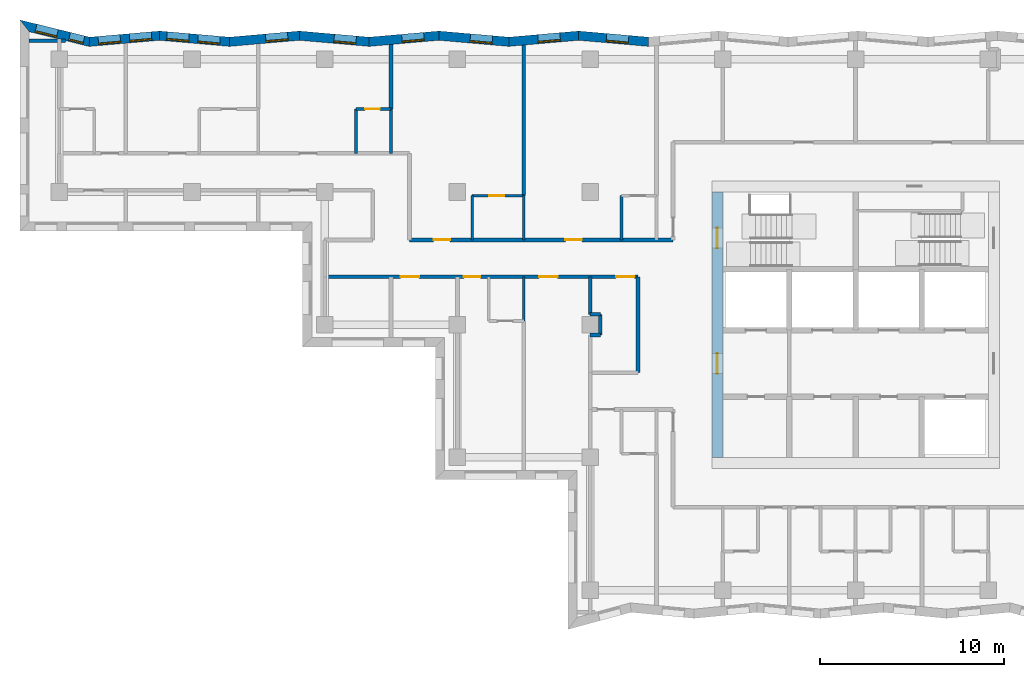
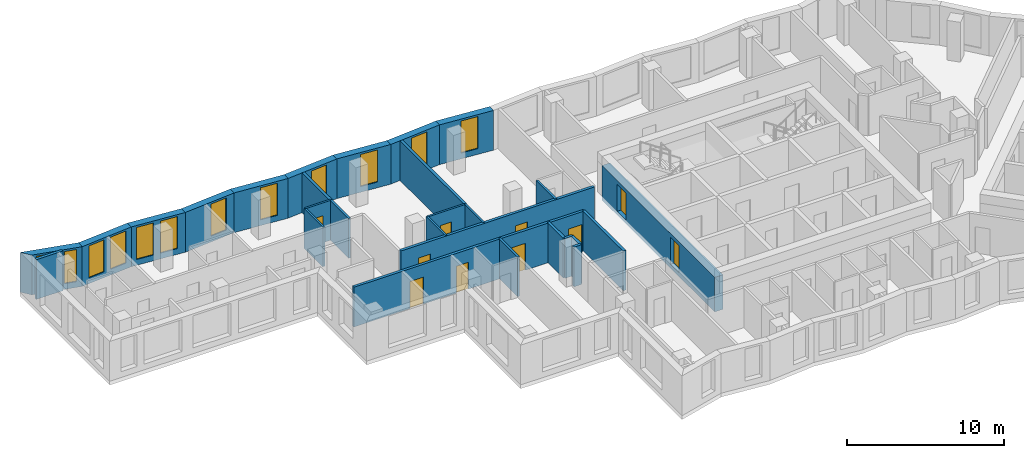
# One storey, part 5 of 12: 28 walls, 12 windows, 10 doors, 22 openings.
"""IFC4 building model written with IfcOpenShell, lengths in metres."""

from ifc_helpers import new_model, si_unit, direction, frame, frame_2d, origin, place, context, subcontext, project, spatial, polyline, rectangle, outline, extrude, material, layer, layer_set, type_object, element, fill, save


model = new_model("IFC4")

# Units and contexts
model_context = context("Model", 3, precision=1e-05, world=origin(), true_north=direction((0.0, 1.0)))
body_context = subcontext(model_context, "Body", "Model", "MODEL_VIEW")
ifc_project = project(units=[si_unit("LENGTHUNIT", "METRE"), si_unit("AREAUNIT", "SQUARE_METRE"), si_unit("VOLUMEUNIT", "CUBIC_METRE"), si_unit("PLANEANGLEUNIT", "RADIAN"), si_unit("MASSUNIT", "GRAM", prefix="KILO")], contexts=[model_context])

# Site, building, storey
site_placement = place(None, origin())
site = spatial("IfcSite", under=ifc_project, at=site_placement, CompositionType="ELEMENT")
building_placement = place(site_placement, origin())
building = spatial("IfcBuilding", under=site, at=building_placement, Name="Windrow Commons", CompositionType="ELEMENT")
storey_placement = place(building_placement, frame((0.0, 0.0, 138.8)))
storey = spatial("IfcBuildingStorey", under=building, at=storey_placement, Name="L37", CompositionType="ELEMENT", Elevation=138.8)

# Wall, opening, window
ifc_material_1 = material(Name="Brick masonry, red clay brick", Category="masonry")
ifc_layer_1 = layer(ifc_material_1, 0.5)
ifc_layer_set_1 = layer_set([ifc_layer_1], Name="Brick facade wall 500")
wall_type_1 = type_object("IfcWallType", Name="Brick facade wall 500", PredefinedType="SOLIDWALL", material=ifc_layer_set_1)
wall_1_placement = place(storey_placement, frame((53.5644, 72.9491, 0.0), z_axis=(0.0, 0.0, 1.0), x_axis=(-0.9962271558, 0.0867839505, 0.0)))
wall_1 = element("IfcWall", 1, at=wall_1_placement, inside=storey, type_object=wall_type_1, Name="Brick facade wall L37 26", PredefinedType="SOLIDWALL", context=body_context, shape_type="SweptSolid", body=[
    extrude(outline(polyline([(0.0218, -0.25), (3.8244, -0.25), (3.7808, 0.25), (-0.0218, 0.25), (0.0218, -0.25)])), origin(), (0.0, 0.0, 1.0), 3.1),
])
opening_1_placement = place(wall_1_placement, frame((1.0882, 0.0, 0.45)))
opening_1 = element("IfcOpeningElement", 2, at=opening_1_placement, cuts=wall_1, Name="Opening W7E", PredefinedType="OPENING", context=body_context, shape_type="SweptSolid", body=[
    extrude(rectangle(XDim=1.2, YDim=2.5, at=frame_2d((0.6, 1.25))), frame((0.0, 0.26, 0.0), z_axis=(0.0, -1.0, 0.0), x_axis=(1.0, 0.0, 0.0)), (0.0, 0.0, 1.0), 0.52),
])
ifc_material_2 = material(Name="Clear float glass in anodised aluminium frame", Category="aluminium")
window_type_1 = type_object("IfcWindowType", Name="Window W7 notch 1200x2500", PartitioningType="SINGLE_PANEL", PredefinedType="WINDOW", material=ifc_material_2)
window_1_placement = place(opening_1_placement, origin())
window_1 = element("IfcWindow", 3, at=window_1_placement, inside=storey, type_object=window_type_1, Name="Window L37 26.1", OverallHeight=2.5, OverallWidth=1.2, PartitioningType="SINGLE_PANEL", PredefinedType="WINDOW", context=body_context, shape_type="SweptSolid", body=[
    extrude(rectangle(XDim=1.2, YDim=2.5, at=frame_2d((0.6, 1.25))), frame((0.0, 0.18, 0.0), z_axis=(0.0, -1.0, 0.0), x_axis=(1.0, 0.0, 0.0)), (0.0, 0.0, 1.0), 0.06),
])
fill(opening_1, window_1)

wall_2_placement = place(storey_placement, frame((49.7762, 73.2791, 0.0), z_axis=(0.0, 0.0, 1.0), x_axis=(-0.9962273538, -0.0867816769, 0.0)))
wall_2 = element("IfcWall", 4, at=wall_2_placement, inside=storey, type_object=wall_type_1, Name="Brick facade wall L37 27", PredefinedType="SOLIDWALL", context=body_context, shape_type="SweptSolid", body=[
    extrude(outline(polyline([(-0.0218, -0.25), (3.7808, -0.25), (3.8244, 0.25), (0.0218, 0.25), (-0.0218, -0.25)])), origin(), (0.0, 0.0, 1.0), 3.1),
])
opening_2_placement = place(wall_2_placement, frame((1.0046, 0.0, 0.45)))
opening_2 = element("IfcOpeningElement", 5, at=opening_2_placement, cuts=wall_2, Name="Opening W7E", PredefinedType="OPENING", context=body_context, shape_type="SweptSolid", body=[
    extrude(rectangle(XDim=1.2, YDim=2.5, at=frame_2d((0.6, 1.25))), frame((0.0, 0.26, 0.0), z_axis=(0.0, -1.0, 0.0), x_axis=(1.0, 0.0, 0.0)), (0.0, 0.0, 1.0), 0.52),
])
window_2_placement = place(opening_2_placement, origin())
window_2 = element("IfcWindow", 6, at=window_2_placement, inside=storey, type_object=window_type_1, Name="Window L37 27.1", OverallHeight=2.5, OverallWidth=1.2, PartitioningType="SINGLE_PANEL", PredefinedType="WINDOW", context=body_context, shape_type="SweptSolid", body=[
    extrude(rectangle(XDim=1.2, YDim=2.5, at=frame_2d((0.6, 1.25))), frame((0.0, 0.18, 0.0), z_axis=(0.0, -1.0, 0.0), x_axis=(1.0, 0.0, 0.0)), (0.0, 0.0, 1.0), 0.06),
])
fill(opening_2, window_2)

wall_3_placement = place(storey_placement, frame((45.9879, 72.9491, 0.0), z_axis=(0.0, 0.0, 1.0), x_axis=(-0.9962273538, 0.0867816769, 0.0)))
wall_3 = element("IfcWall", 7, at=wall_3_placement, inside=storey, type_object=wall_type_1, Name="Brick facade wall L37 28", PredefinedType="SOLIDWALL", context=body_context, shape_type="SweptSolid", body=[
    extrude(outline(polyline([(0.0218, -0.25), (3.8244, -0.25), (3.7808, 0.25), (-0.0218, 0.25), (0.0218, -0.25)])), origin(), (0.0, 0.0, 1.0), 3.1),
])
opening_3_placement = place(wall_3_placement, frame((0.8992, 0.0, 0.45)))
opening_3 = element("IfcOpeningElement", 8, at=opening_3_placement, cuts=wall_3, Name="Opening W7E", PredefinedType="OPENING", context=body_context, shape_type="SweptSolid", body=[
    extrude(rectangle(XDim=1.2, YDim=2.5, at=frame_2d((0.6, 1.25))), frame((0.0, 0.26, 0.0), z_axis=(0.0, -1.0, 0.0), x_axis=(1.0, 0.0, 0.0)), (0.0, 0.0, 1.0), 0.52),
])
window_3_placement = place(opening_3_placement, origin())
window_3 = element("IfcWindow", 9, at=window_3_placement, inside=storey, type_object=window_type_1, Name="Window L37 28.1", OverallHeight=2.5, OverallWidth=1.2, PartitioningType="SINGLE_PANEL", PredefinedType="WINDOW", context=body_context, shape_type="SweptSolid", body=[
    extrude(rectangle(XDim=1.2, YDim=2.5, at=frame_2d((0.6, 1.25))), frame((0.0, 0.18, 0.0), z_axis=(0.0, -1.0, 0.0), x_axis=(1.0, 0.0, 0.0)), (0.0, 0.0, 1.0), 0.06),
])
fill(opening_3, window_3)

wall_4_placement = place(storey_placement, frame((42.1996, 73.2791, 0.0), z_axis=(0.0, 0.0, 1.0), x_axis=(-0.9962273538, -0.0867816769, 0.0)))
wall_4 = element("IfcWall", 10, at=wall_4_placement, inside=storey, type_object=wall_type_1, Name="Brick facade wall L37 29", PredefinedType="SOLIDWALL", context=body_context, shape_type="SweptSolid", body=[
    extrude(outline(polyline([(-0.0218, -0.25), (3.7808, -0.25), (3.8244, 0.25), (0.0218, 0.25), (-0.0218, -0.25)])), origin(), (0.0, 0.0, 1.0), 3.1),
])
opening_4_placement = place(wall_4_placement, frame((0.8156, 0.0, 0.45)))
opening_4 = element("IfcOpeningElement", 11, at=opening_4_placement, cuts=wall_4, Name="Opening W7E", PredefinedType="OPENING", context=body_context, shape_type="SweptSolid", body=[
    extrude(rectangle(XDim=1.2, YDim=2.5, at=frame_2d((0.6, 1.25))), frame((0.0, 0.26, 0.0), z_axis=(0.0, -1.0, 0.0), x_axis=(1.0, 0.0, 0.0)), (0.0, 0.0, 1.0), 0.52),
])
window_4_placement = place(opening_4_placement, origin())
window_4 = element("IfcWindow", 12, at=window_4_placement, inside=storey, type_object=window_type_1, Name="Window L37 29.1", OverallHeight=2.5, OverallWidth=1.2, PartitioningType="SINGLE_PANEL", PredefinedType="WINDOW", context=body_context, shape_type="SweptSolid", body=[
    extrude(rectangle(XDim=1.2, YDim=2.5, at=frame_2d((0.6, 1.25))), frame((0.0, 0.18, 0.0), z_axis=(0.0, -1.0, 0.0), x_axis=(1.0, 0.0, 0.0)), (0.0, 0.0, 1.0), 0.06),
])
fill(opening_4, window_4)

wall_5_placement = place(storey_placement, frame((38.4113, 72.9491, 0.0), z_axis=(0.0, 0.0, 1.0), x_axis=(-0.9962271558, 0.0867839505, 0.0)))
wall_5 = element("IfcWall", 13, at=wall_5_placement, inside=storey, type_object=wall_type_1, Name="Brick facade wall L37 30", PredefinedType="SOLIDWALL", context=body_context, shape_type="SweptSolid", body=[
    extrude(outline(polyline([(0.0218, -0.25), (3.8244, -0.25), (3.7808, 0.25), (-0.0218, 0.25), (0.0218, -0.25)])), origin(), (0.0, 0.0, 1.0), 3.1),
])
opening_5_placement = place(wall_5_placement, frame((0.7102, 0.0, 0.45)))
opening_5 = element("IfcOpeningElement", 14, at=opening_5_placement, cuts=wall_5, Name="Opening W7E", PredefinedType="OPENING", context=body_context, shape_type="SweptSolid", body=[
    extrude(rectangle(XDim=1.2, YDim=2.5, at=frame_2d((0.6, 1.25))), frame((0.0, 0.26, 0.0), z_axis=(0.0, -1.0, 0.0), x_axis=(1.0, 0.0, 0.0)), (0.0, 0.0, 1.0), 0.52),
])
window_5_placement = place(opening_5_placement, origin())
window_5 = element("IfcWindow", 15, at=window_5_placement, inside=storey, type_object=window_type_1, Name="Window L37 30.1", OverallHeight=2.5, OverallWidth=1.2, PartitioningType="SINGLE_PANEL", PredefinedType="WINDOW", context=body_context, shape_type="SweptSolid", body=[
    extrude(rectangle(XDim=1.2, YDim=2.5, at=frame_2d((0.6, 1.25))), frame((0.0, 0.18, 0.0), z_axis=(0.0, -1.0, 0.0), x_axis=(1.0, 0.0, 0.0)), (0.0, 0.0, 1.0), 0.06),
])
fill(opening_5, window_5)

wall_6_placement = place(storey_placement, frame((34.6231, 73.2791, 0.0), z_axis=(0.0, 0.0, 1.0), x_axis=(-0.9962273538, -0.0867816769, 0.0)))
wall_6 = element("IfcWall", 16, at=wall_6_placement, inside=storey, type_object=wall_type_1, Name="Brick facade wall L37 31", PredefinedType="SOLIDWALL", context=body_context, shape_type="SweptSolid", body=[
    extrude(outline(polyline([(-0.0218, -0.25), (3.7808, -0.25), (3.8244, 0.25), (0.0218, 0.25), (-0.0218, -0.25)])), origin(), (0.0, 0.0, 1.0), 3.1),
])
opening_6_placement = place(wall_6_placement, frame((0.6266, 0.0, 0.45)))
opening_6 = element("IfcOpeningElement", 17, at=opening_6_placement, cuts=wall_6, Name="Opening W7E", PredefinedType="OPENING", context=body_context, shape_type="SweptSolid", body=[
    extrude(rectangle(XDim=1.2, YDim=2.5, at=frame_2d((0.6, 1.25))), frame((0.0, 0.26, 0.0), z_axis=(0.0, -1.0, 0.0), x_axis=(1.0, 0.0, 0.0)), (0.0, 0.0, 1.0), 0.52),
])
window_6_placement = place(opening_6_placement, origin())
window_6 = element("IfcWindow", 18, at=window_6_placement, inside=storey, type_object=window_type_1, Name="Window L37 31.1", OverallHeight=2.5, OverallWidth=1.2, PartitioningType="SINGLE_PANEL", PredefinedType="WINDOW", context=body_context, shape_type="SweptSolid", body=[
    extrude(rectangle(XDim=1.2, YDim=2.5, at=frame_2d((0.6, 1.25))), frame((0.0, 0.18, 0.0), z_axis=(0.0, -1.0, 0.0), x_axis=(1.0, 0.0, 0.0)), (0.0, 0.0, 1.0), 0.06),
])
fill(opening_6, window_6)

# Wall, openings, windows
wall_7_placement = place(storey_placement, frame((30.8348, 72.9491, 0.0), z_axis=(0.0, 0.0, 1.0), x_axis=(-0.9962273538, 0.0867816769, 0.0)))
wall_7 = element("IfcWall", 19, at=wall_7_placement, inside=storey, type_object=wall_type_1, Name="Brick facade wall L37 32", PredefinedType="SOLIDWALL", context=body_context, shape_type="SweptSolid", body=[
    extrude(outline(polyline([(0.0218, -0.25), (3.8244, -0.25), (3.7808, 0.25), (-0.0218, 0.25), (0.0218, -0.25)])), origin(), (0.0, 0.0, 1.0), 3.1),
])
opening_7_placement = place(wall_7_placement, frame((0.5213, 0.0, 0.45)))
opening_7 = element("IfcOpeningElement", 20, at=opening_7_placement, cuts=wall_7, Name="Opening W7E", PredefinedType="OPENING", context=body_context, shape_type="SweptSolid", body=[
    extrude(rectangle(XDim=1.2, YDim=2.5, at=frame_2d((0.6, 1.25))), frame((0.0, 0.26, 0.0), z_axis=(0.0, -1.0, 0.0), x_axis=(1.0, 0.0, 0.0)), (0.0, 0.0, 1.0), 0.52),
])
opening_8_placement = place(wall_7_placement, frame((2.2117, 0.0, 0.45)))
opening_8 = element("IfcOpeningElement", 21, at=opening_8_placement, cuts=wall_7, Name="Opening W7E", PredefinedType="OPENING", context=body_context, shape_type="SweptSolid", body=[
    extrude(rectangle(XDim=1.2, YDim=2.5, at=frame_2d((0.6, 1.25))), frame((0.0, 0.26, 0.0), z_axis=(0.0, -1.0, 0.0), x_axis=(1.0, 0.0, 0.0)), (0.0, 0.0, 1.0), 0.52),
])
window_7_placement = place(opening_7_placement, origin())
window_7 = element("IfcWindow", 22, at=window_7_placement, inside=storey, type_object=window_type_1, Name="Window L37 32.1", OverallHeight=2.5, OverallWidth=1.2, PartitioningType="SINGLE_PANEL", PredefinedType="WINDOW", context=body_context, shape_type="SweptSolid", body=[
    extrude(rectangle(XDim=1.2, YDim=2.5, at=frame_2d((0.6, 1.25))), frame((0.0, 0.18, 0.0), z_axis=(0.0, -1.0, 0.0), x_axis=(1.0, 0.0, 0.0)), (0.0, 0.0, 1.0), 0.06),
])
fill(opening_7, window_7)
window_8_placement = place(opening_8_placement, origin())
window_8 = element("IfcWindow", 23, at=window_8_placement, inside=storey, type_object=window_type_1, Name="Window L37 32.2", OverallHeight=2.5, OverallWidth=1.2, PartitioningType="SINGLE_PANEL", PredefinedType="WINDOW", context=body_context, shape_type="SweptSolid", body=[
    extrude(rectangle(XDim=1.2, YDim=2.5, at=frame_2d((0.6, 1.25))), frame((0.0, 0.18, 0.0), z_axis=(0.0, -1.0, 0.0), x_axis=(1.0, 0.0, 0.0)), (0.0, 0.0, 1.0), 0.06),
])
fill(opening_8, window_8)

wall_8_placement = place(storey_placement, frame((27.0465, 73.2791, 0.0), z_axis=(0.0, 0.0, 1.0), x_axis=(-0.9962271263, -0.0867842891, 0.0)))
wall_8 = element("IfcWall", 24, at=wall_8_placement, inside=storey, type_object=wall_type_1, Name="Brick facade wall L37 33", PredefinedType="SOLIDWALL", context=body_context, shape_type="SweptSolid", body=[
    extrude(outline(polyline([(-0.0218, -0.25), (3.7808, -0.25), (3.8635, 0.25), (0.0218, 0.25), (-0.0218, -0.25)])), origin(), (0.0, 0.0, 1.0), 3.1),
])
opening_9_placement = place(wall_8_placement, frame((0.4377, 0.0, 0.45)))
opening_9 = element("IfcOpeningElement", 25, at=opening_9_placement, cuts=wall_8, Name="Opening W7E", PredefinedType="OPENING", context=body_context, shape_type="SweptSolid", body=[
    extrude(rectangle(XDim=1.2, YDim=2.5, at=frame_2d((0.6, 1.25))), frame((0.0, 0.26, 0.0), z_axis=(0.0, -1.0, 0.0), x_axis=(1.0, 0.0, 0.0)), (0.0, 0.0, 1.0), 0.52),
])
opening_10_placement = place(wall_8_placement, frame((2.1378, 0.0, 0.45)))
opening_10 = element("IfcOpeningElement", 26, at=opening_10_placement, cuts=wall_8, Name="Opening W7E", PredefinedType="OPENING", context=body_context, shape_type="SweptSolid", body=[
    extrude(rectangle(XDim=1.2, YDim=2.5, at=frame_2d((0.6, 1.25))), frame((0.0, 0.26, 0.0), z_axis=(0.0, -1.0, 0.0), x_axis=(1.0, 0.0, 0.0)), (0.0, 0.0, 1.0), 0.52),
])
window_9_placement = place(opening_9_placement, origin())
window_9 = element("IfcWindow", 27, at=window_9_placement, inside=storey, type_object=window_type_1, Name="Window L37 33.1", OverallHeight=2.5, OverallWidth=1.2, PartitioningType="SINGLE_PANEL", PredefinedType="WINDOW", context=body_context, shape_type="SweptSolid", body=[
    extrude(rectangle(XDim=1.2, YDim=2.5, at=frame_2d((0.6, 1.25))), frame((0.0, 0.18, 0.0), z_axis=(0.0, -1.0, 0.0), x_axis=(1.0, 0.0, 0.0)), (0.0, 0.0, 1.0), 0.06),
])
fill(opening_9, window_9)
window_10_placement = place(opening_10_placement, origin())
window_10 = element("IfcWindow", 28, at=window_10_placement, inside=storey, type_object=window_type_1, Name="Window L37 33.2", OverallHeight=2.5, OverallWidth=1.2, PartitioningType="SINGLE_PANEL", PredefinedType="WINDOW", context=body_context, shape_type="SweptSolid", body=[
    extrude(rectangle(XDim=1.2, YDim=2.5, at=frame_2d((0.6, 1.25))), frame((0.0, 0.18, 0.0), z_axis=(0.0, -1.0, 0.0), x_axis=(1.0, 0.0, 0.0)), (0.0, 0.0, 1.0), 0.06),
])
fill(opening_10, window_10)

wall_9_placement = place(storey_placement, frame((23.2388, 72.9474, 0.0), z_axis=(0.0, 0.0, 1.0), x_axis=(-0.9711662492, 0.2384032642, 0.0)))
wall_9 = element("IfcWall", 29, at=wall_9_placement, inside=storey, type_object=wall_type_1, Name="Brick facade wall L37 34", PredefinedType="SOLIDWALL", context=body_context, shape_type="SweptSolid", body=[
    extrude(outline(polyline([(0.0413, -0.25), (3.9421, -0.25), (3.3045, 0.25), (-0.0413, 0.25), (0.0413, -0.25)])), origin(), (0.0, 0.0, 1.0), 3.1),
])
opening_11_placement = place(wall_9_placement, frame((1.796, 0.0, 0.45)))
opening_11 = element("IfcOpeningElement", 30, at=opening_11_placement, cuts=wall_9, Name="Opening W7E", PredefinedType="OPENING", context=body_context, shape_type="SweptSolid", body=[
    extrude(rectangle(XDim=1.2, YDim=2.5, at=frame_2d((0.6, 1.25))), frame((0.0, 0.26, 0.0), z_axis=(0.0, -1.0, 0.0), x_axis=(1.0, 0.0, 0.0)), (0.0, 0.0, 1.0), 0.52),
])
opening_12_placement = place(wall_9_placement, frame((0.319, 0.0, 0.45)))
opening_12 = element("IfcOpeningElement", 31, at=opening_12_placement, cuts=wall_9, Name="Opening W1N", PredefinedType="OPENING", context=body_context, shape_type="SweptSolid", body=[
    extrude(rectangle(XDim=0.8, YDim=2.5, at=frame_2d((0.4, 1.25))), frame((0.0, 0.26, 0.0), z_axis=(0.0, -1.0, 0.0), x_axis=(1.0, 0.0, 0.0)), (0.0, 0.0, 1.0), 0.52),
])
ifc_material_3 = material(Name="Clear float glass in anodised aluminium frame", Category="aluminium")
window_type_2 = type_object("IfcWindowType", Name="Window W1N slit 800x2500", PartitioningType="SINGLE_PANEL", PredefinedType="WINDOW", material=ifc_material_3)
window_11_placement = place(opening_12_placement, origin())
window_11 = element("IfcWindow", 32, at=window_11_placement, inside=storey, type_object=window_type_2, Name="Window L37 34.1A", OverallHeight=2.5, OverallWidth=0.8, PartitioningType="SINGLE_PANEL", PredefinedType="WINDOW", context=body_context, shape_type="SweptSolid", body=[
    extrude(rectangle(XDim=0.8, YDim=2.5, at=frame_2d((0.4, 1.25))), frame((0.0, 0.18, 0.0), z_axis=(0.0, -1.0, 0.0), x_axis=(1.0, 0.0, 0.0)), (0.0, 0.0, 1.0), 0.06),
])
fill(opening_12, window_11)
window_12_placement = place(opening_11_placement, origin())
window_12 = element("IfcWindow", 33, at=window_12_placement, inside=storey, type_object=window_type_1, Name="Window L37 34.2", OverallHeight=2.5, OverallWidth=1.2, PartitioningType="SINGLE_PANEL", PredefinedType="WINDOW", context=body_context, shape_type="SweptSolid", body=[
    extrude(rectangle(XDim=1.2, YDim=2.5, at=frame_2d((0.6, 1.25))), frame((0.0, 0.18, 0.0), z_axis=(0.0, -1.0, 0.0), x_axis=(1.0, 0.0, 0.0)), (0.0, 0.0, 1.0), 0.06),
])
fill(opening_11, window_12)

# Wall, openings, doors
ifc_material_4 = material(Name="Blockwork partition", Category="masonry")
ifc_layer_2 = layer(ifc_material_4, 0.2)
ifc_layer_set_2 = layer_set([ifc_layer_2], Name="IW-CORRIDOR-200")
wall_type_2 = type_object("IfcWallType", Name="IW-CORRIDOR-200", PredefinedType="PARTITIONING", material=ifc_layer_set_2)
wall_10_placement = place(storey_placement, frame((36.0, 60.2, 0.0), z_axis=(0.0, 0.0, 1.0), x_axis=(1.0, 0.0, 0.0)))
wall_10 = element("IfcWall", 34, at=wall_10_placement, inside=storey, type_object=wall_type_2, Name="W-L37-W003", PredefinedType="PARTITIONING", context=body_context, shape_type="SweptSolid", body=[
    extrude(rectangle(XDim=17.0, YDim=0.2, at=frame_2d((8.5, 0.0))), origin(), (0.0, 0.0, 1.0), 3.1),
])
opening_13_placement = place(wall_10_placement, frame((15.805, 0.0, 0.0)))
opening_13 = element("IfcOpeningElement", 35, at=opening_13_placement, cuts=wall_10, Name="Opening D410F", PredefinedType="OPENING", context=body_context, shape_type="SweptSolid", body=[
    extrude(rectangle(XDim=1.0, YDim=2.1, at=frame_2d((0.5, 1.05))), frame((0.0, 0.11, 0.0), z_axis=(0.0, -1.0, 0.0), x_axis=(1.0, 0.0, 0.0)), (0.0, 0.0, 1.0), 0.22),
])
opening_14_placement = place(wall_10_placement, frame((4.125, 0.0, 0.0)))
opening_14 = element("IfcOpeningElement", 36, at=opening_14_placement, cuts=wall_10, Name="Opening D310F", PredefinedType="OPENING", context=body_context, shape_type="SweptSolid", body=[
    extrude(rectangle(XDim=1.0, YDim=2.1, at=frame_2d((0.5, 1.05))), frame((0.0, 0.11, 0.0), z_axis=(0.0, -1.0, 0.0), x_axis=(1.0, 0.0, 0.0)), (0.0, 0.0, 1.0), 0.22),
])
opening_15_placement = place(wall_10_placement, frame((7.55, 0.0, 0.0)))
opening_15 = element("IfcOpeningElement", 37, at=opening_15_placement, cuts=wall_10, Name="Opening D109S", PredefinedType="OPENING", context=body_context, shape_type="SweptSolid", body=[
    extrude(rectangle(XDim=0.9, YDim=2.1, at=frame_2d((0.45, 1.05))), frame((0.0, 0.11, 0.0), z_axis=(0.0, -1.0, 0.0), x_axis=(1.0, 0.0, 0.0)), (0.0, 0.0, 1.0), 0.22),
])
opening_16_placement = place(wall_10_placement, frame((11.635, 0.0, 0.0)))
opening_16 = element("IfcOpeningElement", 38, at=opening_16_placement, cuts=wall_10, Name="Opening D310F", PredefinedType="OPENING", context=body_context, shape_type="SweptSolid", body=[
    extrude(rectangle(XDim=1.0, YDim=2.1, at=frame_2d((0.5, 1.05))), frame((0.0, 0.11, 0.0), z_axis=(0.0, -1.0, 0.0), x_axis=(1.0, 0.0, 0.0)), (0.0, 0.0, 1.0), 0.22),
])
ifc_material_5 = material(Name="Timber door leaf", Category="wood")
door_type_1 = type_object("IfcDoorType", Name="DT-AMENITY-1000", OperationType="SINGLE_SWING_LEFT", PredefinedType="DOOR", material=ifc_material_5)
door_1_placement = place(opening_14_placement, origin())
door_1 = element("IfcDoor", 39, at=door_1_placement, inside=storey, type_object=door_type_1, Name="D-L37-D012", OperationType="SINGLE_SWING_RIGHT", OverallHeight=2.1, OverallWidth=1.0, PredefinedType="DOOR", context=body_context, shape_type="SweptSolid", body=[
    extrude(rectangle(XDim=1.0, YDim=2.1, at=frame_2d((0.5, 1.05))), frame((0.0, 0.025, 0.0), z_axis=(0.0, -1.0, 0.0), x_axis=(1.0, 0.0, 0.0)), (0.0, 0.0, 1.0), 0.05),
])
fill(opening_14, door_1)
door_2_placement = place(opening_16_placement, origin())
door_2 = element("IfcDoor", 40, at=door_2_placement, inside=storey, type_object=door_type_1, Name="D-L37-D023", OperationType="SINGLE_SWING_RIGHT", OverallHeight=2.1, OverallWidth=1.0, PredefinedType="DOOR", context=body_context, shape_type="SweptSolid", body=[
    extrude(rectangle(XDim=1.0, YDim=2.1, at=frame_2d((0.5, 1.05))), frame((0.0, 0.025, 0.0), z_axis=(0.0, -1.0, 0.0), x_axis=(1.0, 0.0, 0.0)), (0.0, 0.0, 1.0), 0.05),
])
fill(opening_16, door_2)
ifc_material_6 = material(Name="Timber door leaf", Category="wood")
door_type_2 = type_object("IfcDoorType", Name="DT-BEDROOM-900", OperationType="SINGLE_SWING_LEFT", PredefinedType="DOOR", material=ifc_material_6)
door_3_placement = place(opening_15_placement, origin())
door_3 = element("IfcDoor", 41, at=door_3_placement, inside=storey, type_object=door_type_2, Name="D-L37-D013", OperationType="SINGLE_SWING_LEFT", OverallHeight=2.1, OverallWidth=0.9, PredefinedType="DOOR", context=body_context, shape_type="SweptSolid", body=[
    extrude(rectangle(XDim=0.9, YDim=2.1, at=frame_2d((0.45, 1.05))), frame((0.0, 0.025, 0.0), z_axis=(0.0, -1.0, 0.0), x_axis=(1.0, 0.0, 0.0)), (0.0, 0.0, 1.0), 0.05),
])
fill(opening_15, door_3)
ifc_material_7 = material(Name="Timber door leaf", Category="wood")
door_type_3 = type_object("IfcDoorType", Name="DT-SERVICE-1000", OperationType="SINGLE_SWING_LEFT", PredefinedType="DOOR", material=ifc_material_7)
door_4_placement = place(opening_13_placement, origin())
door_4 = element("IfcDoor", 42, at=door_4_placement, inside=storey, type_object=door_type_3, Name="D-L37-D000", OperationType="SINGLE_SWING_LEFT", OverallHeight=2.1, OverallWidth=1.0, PredefinedType="DOOR", context=body_context, shape_type="SweptSolid", body=[
    extrude(rectangle(XDim=1.0, YDim=2.1, at=frame_2d((0.5, 1.05))), frame((0.0, 0.025, 0.0), z_axis=(0.0, -1.0, 0.0), x_axis=(1.0, 0.0, 0.0)), (0.0, 0.0, 1.0), 0.05),
])
fill(opening_13, door_4)

wall_11_placement = place(storey_placement, frame((40.602, 62.2, 0.0), z_axis=(0.0, 0.0, 1.0), x_axis=(1.0, 0.0, 0.0)))
wall_11 = element("IfcWall", 43, at=wall_11_placement, inside=storey, type_object=wall_type_2, Name="W-L37-W004", PredefinedType="PARTITIONING", context=body_context, shape_type="SweptSolid", body=[
    extrude(rectangle(XDim=14.298, YDim=0.2, at=frame_2d((7.149, 0.0))), origin(), (0.0, 0.0, 1.0), 3.1),
])
opening_17_placement = place(wall_11_placement, frame((1.3063, 0.0, 0.0)))
opening_17 = element("IfcOpeningElement", 44, at=opening_17_placement, cuts=wall_11, Name="Opening D109F", PredefinedType="OPENING", context=body_context, shape_type="SweptSolid", body=[
    extrude(rectangle(XDim=0.9, YDim=2.1, at=frame_2d((0.45, 1.05))), frame((0.0, 0.11, 0.0), z_axis=(0.0, -1.0, 0.0), x_axis=(1.0, 0.0, 0.0)), (0.0, 0.0, 1.0), 0.22),
])
opening_18_placement = place(wall_11_placement, frame((8.4546, 0.0, 0.0)))
opening_18 = element("IfcOpeningElement", 45, at=opening_18_placement, cuts=wall_11, Name="Opening D109F", PredefinedType="OPENING", context=body_context, shape_type="SweptSolid", body=[
    extrude(rectangle(XDim=0.9, YDim=2.1, at=frame_2d((0.45, 1.05))), frame((0.0, 0.11, 0.0), z_axis=(0.0, -1.0, 0.0), x_axis=(1.0, 0.0, 0.0)), (0.0, 0.0, 1.0), 0.22),
])
door_5_placement = place(opening_17_placement, origin())
door_5 = element("IfcDoor", 46, at=door_5_placement, inside=storey, type_object=door_type_2, Name="D-L37-D015", OperationType="SINGLE_SWING_LEFT", OverallHeight=2.1, OverallWidth=0.9, PredefinedType="DOOR", context=body_context, shape_type="SweptSolid", body=[
    extrude(rectangle(XDim=0.9, YDim=2.1, at=frame_2d((0.45, 1.05))), frame((0.0, 0.025, 0.0), z_axis=(0.0, -1.0, 0.0), x_axis=(1.0, 0.0, 0.0)), (0.0, 0.0, 1.0), 0.05),
])
fill(opening_17, door_5)
door_6_placement = place(opening_18_placement, origin())
door_6 = element("IfcDoor", 47, at=door_6_placement, inside=storey, type_object=door_type_2, Name="D-L37-D017", OperationType="SINGLE_SWING_LEFT", OverallHeight=2.1, OverallWidth=0.9, PredefinedType="DOOR", context=body_context, shape_type="SweptSolid", body=[
    extrude(rectangle(XDim=0.9, YDim=2.1, at=frame_2d((0.45, 1.05))), frame((0.0, 0.025, 0.0), z_axis=(0.0, -1.0, 0.0), x_axis=(1.0, 0.0, 0.0)), (0.0, 0.0, 1.0), 0.05),
])
fill(opening_18, door_6)

# Wall
wall_12_placement = place(storey_placement, frame((53.0, 55.002, 0.0), z_axis=(0.0, 0.0, 1.0), x_axis=(0.0, 1.0, 0.0)))
element("IfcWall", 48, at=wall_12_placement, inside=storey, type_object=wall_type_2, Name="W-L37-W033", PredefinedType="PARTITIONING", context=body_context, shape_type="SweptSolid", body=[
    extrude(rectangle(XDim=5.198, YDim=0.2, at=frame_2d((2.599, 0.0))), origin(), (0.0, 0.0, 1.0), 3.1),
])

# Wall, opening, door
ifc_material_8 = material(Name="Blockwork partition", Category="masonry")
ifc_layer_3 = layer(ifc_material_8, 0.15)
ifc_layer_set_3 = layer_set([ifc_layer_3], Name="IW-ENSUITE-150")
wall_type_3 = type_object("IfcWallType", Name="IW-ENSUITE-150", PredefinedType="PARTITIONING", material=ifc_layer_set_3)
wall_13_placement = place(storey_placement, frame((44.0, 64.6, 0.0), z_axis=(0.0, 0.0, 1.0), x_axis=(1.0, 0.0, 0.0)))
wall_13 = element("IfcWall", 49, at=wall_13_placement, inside=storey, type_object=wall_type_3, Name="W-L37-W054", PredefinedType="PARTITIONING", context=body_context, shape_type="SweptSolid", body=[
    extrude(rectangle(XDim=2.8, YDim=0.15, at=frame_2d((1.4, 0.0))), origin(), (0.0, 0.0, 1.0), 3.1),
])
opening_19_placement = place(wall_13_placement, frame((0.94, 0.0, 0.0)))
opening_19 = element("IfcOpeningElement", 50, at=opening_19_placement, cuts=wall_13, Name="Opening D208N", PredefinedType="OPENING", context=body_context, shape_type="SweptSolid", body=[
    extrude(rectangle(XDim=0.8, YDim=2.1, at=frame_2d((0.4, 1.05))), frame((0.0, 0.085, 0.0), z_axis=(0.0, -1.0, 0.0), x_axis=(1.0, 0.0, 0.0)), (0.0, 0.0, 1.0), 0.17),
])
ifc_material_9 = material(Name="Timber door leaf", Category="wood")
door_type_4 = type_object("IfcDoorType", Name="DT-ENSUITE-800", OperationType="SINGLE_SWING_LEFT", PredefinedType="DOOR", material=ifc_material_9)
door_7_placement = place(opening_19_placement, origin())
door_7 = element("IfcDoor", 51, at=door_7_placement, inside=storey, type_object=door_type_4, Name="D-L37-D016", OperationType="SINGLE_SWING_RIGHT", OverallHeight=2.1, OverallWidth=0.8, PredefinedType="DOOR", context=body_context, shape_type="SweptSolid", body=[
    extrude(rectangle(XDim=0.8, YDim=2.1, at=frame_2d((0.4, 1.05))), frame((0.0, 0.025, 0.0), z_axis=(0.0, -1.0, 0.0), x_axis=(1.0, 0.0, 0.0)), (0.0, 0.0, 1.0), 0.05),
])
fill(opening_19, door_7)

# Walls
for number, where, z_axis, x_axis, name in (
    (52, (46.8, 57.8, 0.0), (0.0, 0.0, 1.0), (0.0, 1.0, 0.0), "W-L37-W066"),
    (53, (37.7, 66.9, 0.0), (0.0, 0.0, 1.0), (0.0, 1.0, 0.0), "W-L37-W080"),
    (54, (39.6, 66.9, 0.0), (0.0, 0.0, 1.0), (0.0, 1.0, 0.0), "W-L37-W081"),
    (55, (44.0, 62.2, 0.0), (0.0, 0.0, 1.0), (0.0, 1.0, 0.0), "W-L37-W082"),
    (56, (46.8, 62.2, 0.0), (0.0, 0.0, 1.0), (0.0, 1.0, 0.0), "W-L37-W083"),
    (57, (52.1, 62.2, 0.0), (0.0, 0.0, 1.0), (0.0, 1.0, 0.0), "W-L37-W084"),
):
    element("IfcWall", number, at=place(storey_placement, frame(where, z_axis=z_axis, x_axis=x_axis)), inside=storey, type_object=wall_type_3, Name=name, PredefinedType="PARTITIONING", context=body_context, shape_type="SweptSolid", body=[
        extrude(rectangle(XDim=2.4, YDim=0.15, at=frame_2d((1.2, 0.0))), origin(), (0.0, 0.0, 1.0), 3.1),
    ])

# Wall, opening, door
wall_14_placement = place(storey_placement, frame((37.7, 69.3, 0.0), z_axis=(0.0, 0.0, 1.0), x_axis=(1.0, 0.0, 0.0)))
wall_14 = element("IfcWall", 58, at=wall_14_placement, inside=storey, type_object=wall_type_3, Name="W-L37-W122", PredefinedType="PARTITIONING", context=body_context, shape_type="SweptSolid", body=[
    extrude(rectangle(XDim=1.9, YDim=0.15, at=frame_2d((0.95, 0.0))), origin(), (0.0, 0.0, 1.0), 3.1),
])
opening_20_placement = place(wall_14_placement, frame((0.4931, 0.0, 0.0)))
opening_20 = element("IfcOpeningElement", 59, at=opening_20_placement, cuts=wall_14, Name="Opening D208N", PredefinedType="OPENING", context=body_context, shape_type="SweptSolid", body=[
    extrude(rectangle(XDim=0.8, YDim=2.1, at=frame_2d((0.4, 1.05))), frame((0.0, 0.085, 0.0), z_axis=(0.0, -1.0, 0.0), x_axis=(1.0, 0.0, 0.0)), (0.0, 0.0, 1.0), 0.17),
])
door_8_placement = place(opening_20_placement, origin())
door_8 = element("IfcDoor", 60, at=door_8_placement, inside=storey, type_object=door_type_4, Name="D-L37-D008", OperationType="SINGLE_SWING_RIGHT", OverallHeight=2.1, OverallWidth=0.8, PredefinedType="DOOR", context=body_context, shape_type="SweptSolid", body=[
    extrude(rectangle(XDim=0.8, YDim=2.1, at=frame_2d((0.4, 1.05))), frame((0.0, 0.025, 0.0), z_axis=(0.0, -1.0, 0.0), x_axis=(1.0, 0.0, 0.0)), (0.0, 0.0, 1.0), 0.05),
])
fill(opening_20, door_8)

# Walls
ifc_material_10 = material(Name="Blockwork partition", Category="masonry")
ifc_layer_4 = layer(ifc_material_10, 0.2)
ifc_layer_set_4 = layer_set([ifc_layer_4], Name="IW-PARTY-200")
wall_type_4 = type_object("IfcWallType", Name="IW-PARTY-200", PredefinedType="PARTITIONING", material=ifc_layer_set_4)
wall_15_placement = place(storey_placement, frame((46.8, 64.6, 0.0), z_axis=(0.0, 0.0, 1.0), x_axis=(0.0, 1.0, 0.0)))
element("IfcWall", 61, at=wall_15_placement, inside=storey, type_object=wall_type_4, Name="W-L37-W016", PredefinedType="PARTITIONING", context=body_context, shape_type="SweptSolid", body=[
    extrude(rectangle(XDim=8.1689, YDim=0.2, at=frame_2d((4.0845, 0.0))), origin(), (0.0, 0.0, 1.0), 3.1),
])
wall_16_placement = place(storey_placement, frame((39.6, 69.3, 0.0), z_axis=(0.0, 0.0, 1.0), x_axis=(0.0, 1.0, 0.0)))
element("IfcWall", 62, at=wall_16_placement, inside=storey, type_object=wall_type_4, Name="W-L37-W048", PredefinedType="PARTITIONING", context=body_context, shape_type="SweptSolid", body=[
    extrude(rectangle(XDim=3.5017, YDim=0.2, at=frame_2d((1.7509, 0.0))), origin(), (0.0, 0.0, 1.0), 3.1),
])
wall_17_placement = place(storey_placement, frame((50.4, 58.156, 0.0), z_axis=(0.0, 0.0, 1.0), x_axis=(0.0, 1.0, 0.0)))
element("IfcWall", 63, at=wall_17_placement, inside=storey, type_object=wall_type_4, Name="W-L37-W103", PredefinedType="PARTITIONING", context=body_context, shape_type="SweptSolid", body=[
    extrude(rectangle(XDim=2.044, YDim=0.2, at=frame_2d((1.022, 0.0))), origin(), (0.0, 0.0, 1.0), 3.1),
])
wall_18_placement = place(storey_placement, frame((19.97, 73.0, 0.0), z_axis=(0.0, 0.0, 1.0), x_axis=(1.0, 0.0, 0.0)))
element("IfcWall", 64, at=wall_18_placement, inside=storey, type_object=wall_type_4, Name="W-L37-W114", PredefinedType="PARTITIONING", context=body_context, shape_type="SweptSolid", body=[
    extrude(rectangle(XDim=1.9558, YDim=0.2, at=frame_2d((0.9779, 0.0))), origin(), (0.0, 0.0, 1.0), 3.1),
])
wall_19_placement = place(storey_placement, frame((50.95, 57.044, 0.0), z_axis=(0.0, 0.0, 1.0), x_axis=(0.0, 1.0, 0.0)))
element("IfcWall", 65, at=wall_19_placement, inside=storey, type_object=wall_type_4, Name="W-L37-W144", PredefinedType="PARTITIONING", context=body_context, shape_type="SweptSolid", body=[
    extrude(rectangle(XDim=1.112, YDim=0.2, at=frame_2d((0.556, 0.0))), origin(), (0.0, 0.0, 1.0), 3.1),
])
for number, where, z_axis, x_axis, name in (
    (66, (50.4, 57.04, 0.0), (0.0, 0.0, 1.0), (1.0, 0.0, 0.0), "W-L37-W161"),
    (67, (50.4, 58.16, 0.0), (0.0, 0.0, 1.0), (1.0, 0.0, 0.0), "W-L37-W162"),
):
    element("IfcWall", number, at=place(storey_placement, frame(where, z_axis=z_axis, x_axis=x_axis)), inside=storey, type_object=wall_type_4, Name=name, PredefinedType="PARTITIONING", context=body_context, shape_type="SweptSolid", body=[
        extrude(rectangle(XDim=0.55, YDim=0.2, at=frame_2d((0.275, 0.0))), origin(), (0.0, 0.0, 1.0), 3.1),
    ])

# Wall, openings, doors
ifc_material_11 = material(Name="Concrete C50/60", Category="concrete")
ifc_layer_5 = layer(ifc_material_11, 0.6)
ifc_layer_set_5 = layer_set([ifc_layer_5], Name="RC CORE WALL 600 C50/60")
wall_type_5 = type_object("IfcWallType", Name="RC CORE WALL 600 C50/60", PredefinedType="SHEAR", material=ifc_layer_set_5)
wall_20_placement = place(storey_placement, frame((57.3, 50.4, -0.3), z_axis=(0.0, 0.0, 1.0), x_axis=(0.0, 1.0, 0.0)))
wall_20 = element("IfcWall", 68, at=wall_20_placement, inside=storey, type_object=wall_type_5, Name="Core A wall outer-W", PredefinedType="SHEAR", context=body_context, shape_type="SweptSolid", body=[
    extrude(rectangle(XDim=14.4, YDim=0.6, at=frame_2d((7.2, 0.0))), origin(), (0.0, 0.0, 1.0), 2.7),
])
opening_21_placement = place(wall_20_placement, frame((4.55, 0.0, 0.3)))
opening_21 = element("IfcOpeningElement", 69, at=opening_21_placement, cuts=wall_20, Name="Opening D6", PredefinedType="OPENING", context=body_context, shape_type="SweptSolid", body=[
    extrude(rectangle(XDim=1.1, YDim=2.1, at=frame_2d((0.55, 1.05))), frame((0.0, 0.31, 0.0), z_axis=(0.0, -1.0, 0.0), x_axis=(1.0, 0.0, 0.0)), (0.0, 0.0, 1.0), 0.62),
])
opening_22_placement = place(wall_20_placement, frame((11.35, 0.0, 0.3)))
opening_22 = element("IfcOpeningElement", 70, at=opening_22_placement, cuts=wall_20, Name="Opening D7", PredefinedType="OPENING", context=body_context, shape_type="SweptSolid", body=[
    extrude(rectangle(XDim=1.1, YDim=2.1, at=frame_2d((0.55, 1.05))), frame((0.0, 0.31, 0.0), z_axis=(0.0, -1.0, 0.0), x_axis=(1.0, 0.0, 0.0)), (0.0, 0.0, 1.0), 0.62),
])
ifc_material_12 = material(Name="Steel fire door leaf", Category="steel")
door_type_5 = type_object("IfcDoorType", Name="Core lobby door 1100", OperationType="SINGLE_SWING_LEFT", PredefinedType="DOOR", material=ifc_material_12)
door_9_placement = place(opening_21_placement, origin())
door_9 = element("IfcDoor", 71, at=door_9_placement, inside=storey, type_object=door_type_5, Name="Lift lobby door", OperationType="DOUBLE_DOOR_SINGLE_SWING", OverallHeight=2.1, OverallWidth=1.1, PredefinedType="DOOR", context=body_context, shape_type="SweptSolid", body=[
    extrude(rectangle(XDim=1.1, YDim=2.1, at=frame_2d((0.55, 1.05))), frame((0.0, 0.025, 0.0), z_axis=(0.0, -1.0, 0.0), x_axis=(1.0, 0.0, 0.0)), (0.0, 0.0, 1.0), 0.05),
])
fill(opening_21, door_9)
ifc_material_13 = material(Name="Steel fire door leaf", Category="steel")
door_type_6 = type_object("IfcDoorType", Name="Stair door 1100", OperationType="SINGLE_SWING_LEFT", PredefinedType="DOOR", material=ifc_material_13)
door_10_placement = place(opening_22_placement, origin())
door_10 = element("IfcDoor", 72, at=door_10_placement, inside=storey, type_object=door_type_6, Name="Stair door", OperationType="SINGLE_SWING_LEFT", OverallHeight=2.1, OverallWidth=1.1, PredefinedType="DOOR", context=body_context, shape_type="SweptSolid", body=[
    extrude(rectangle(XDim=1.1, YDim=2.1, at=frame_2d((0.55, 1.05))), frame((0.0, 0.025, 0.0), z_axis=(0.0, -1.0, 0.0), x_axis=(1.0, 0.0, 0.0)), (0.0, 0.0, 1.0), 0.05),
])
fill(opening_22, door_10)

save(model, "model.ifc")
